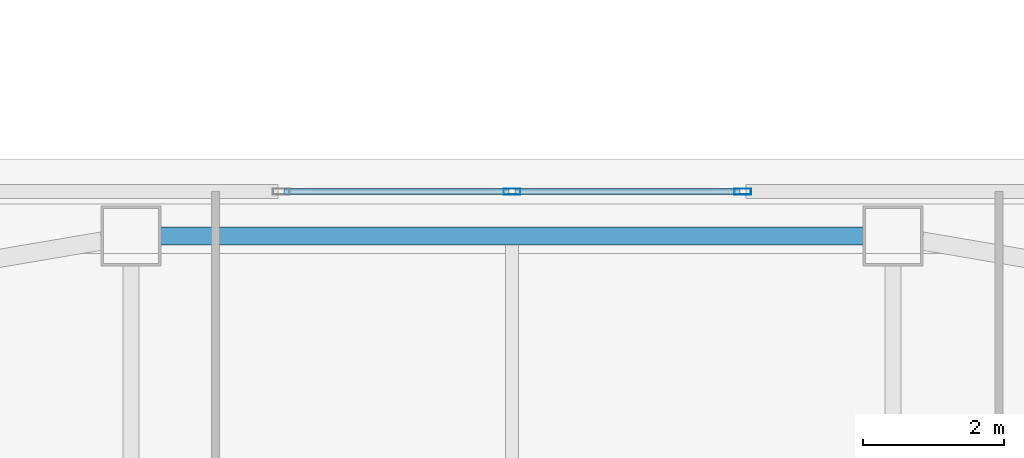
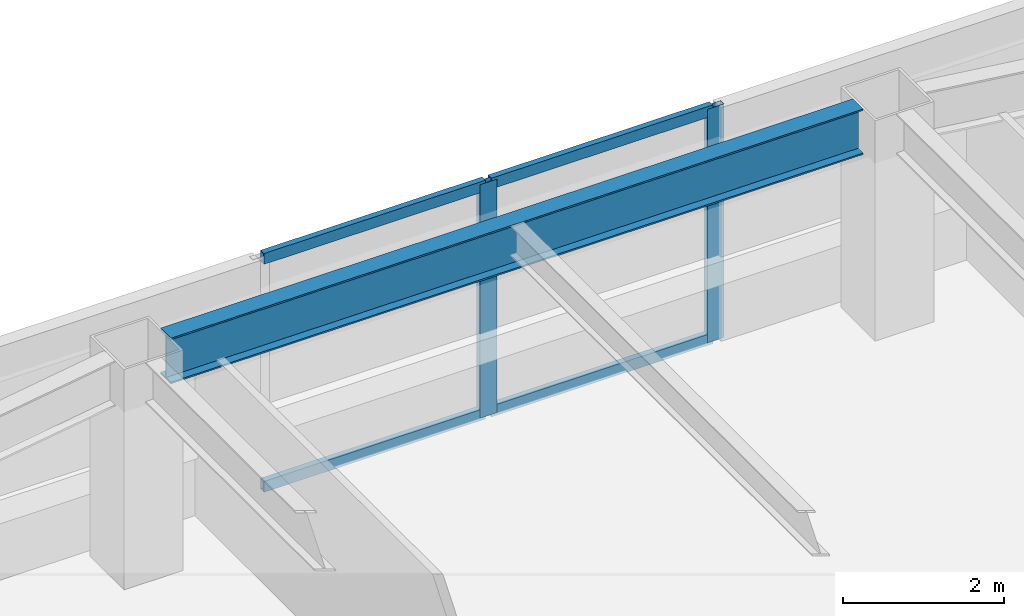
# One storey, part 14 of 46: 6 members, 1 beam, 1 element without a shape of its own.
"""IFC4 building model written with IfcOpenShell, lengths in metres."""

from ifc_helpers import new_model, si_unit, direction, frame, origin, origin_2d, place, context, subcontext, project, spatial, hollow_rectangle, i_section, extrude, material, material_profile, profile_set, type_object, element, aggregate, save


model = new_model("IFC4")

# Units and contexts
model_context = context("Model", 3, precision=1e-05, world=origin(), true_north=direction((0.0, 1.0)))
body_context = subcontext(model_context, "Body", "Model", "MODEL_VIEW")
ifc_project = project(units=[si_unit("LENGTHUNIT", "METRE"), si_unit("AREAUNIT", "SQUARE_METRE"), si_unit("VOLUMEUNIT", "CUBIC_METRE"), si_unit("PLANEANGLEUNIT", "RADIAN"), si_unit("MASSUNIT", "GRAM", prefix="KILO")], contexts=[model_context])

# Site, building, storey
site_placement = place(None, origin())
site = spatial("IfcSite", under=ifc_project, at=site_placement, CompositionType="ELEMENT")
building_placement = place(site_placement, origin())
building = spatial("IfcBuilding", under=site, at=building_placement, Name="Tashvorn Skyway Center", CompositionType="ELEMENT")
storey_placement = place(building_placement, frame((0.0, 0.0, 38.800048828125)))
storey = spatial("IfcBuildingStorey", under=building, at=storey_placement, Name="L09", CompositionType="ELEMENT", Elevation=38.800048828125)

# Beam
ifc_material_1 = material(Name="Steel ASTM A992 Grade 50", Category="steel")
ifc_material_profile_1 = material_profile(ifc_material_1, i_section(OverallWidth=0.256103515625, OverallDepth=0.693115234375, WebThickness=0.014404296875, FlangeThickness=0.023681640625, at=origin_2d()), Name="W27X114")
ifc_profile_set_1 = profile_set([ifc_material_profile_1], Name="Steel ASTM A992 Grade 50")
beam_type = type_object("IfcBeamType", Name="BM-SPANDREL-W27X114", PredefinedType="SPANDREL", material=ifc_profile_set_1)
beam_placement = place(storey_placement, frame((46.97998046875, 54.25, 3.00341796875), z_axis=(-1.0, 0.0, 0.0), x_axis=(0.0, -1.0, 0.0)))
element("IfcBeam", 1, at=beam_placement, inside=storey, type_object=beam_type, Name="Tower 1 L09 Spandrel Beam 08", PredefinedType="SPANDREL", context=body_context, shape_type="SweptSolid", body=[
    extrude(i_section(OverallWidth=0.256103515625, OverallDepth=0.693115234375, WebThickness=0.014404296875, FlangeThickness=0.023681640625, at=origin_2d()), origin(), (0.0, 0.0, 1.0), 9.9599609375),
])

# Curtain wall, members
ifc_material_2 = material(Name="Thermally broken bronze-anodized aluminium 6063-T6", Category="aluminium")
curtain_wall_type = type_object("IfcCurtainWallType", Name="CW-CW-Z1", PredefinedType="NOTDEFINED", material=ifc_material_2)
curtain_wall_placement = place(storey_placement, origin())
curtain_wall = element("IfcCurtainWall", 2, at=curtain_wall_placement, inside=storey, type_object=curtain_wall_type, Name="Tower 1 L09 North Unitised Curtain Wall Glazing Group 2", PredefinedType="NOTDEFINED")
ifc_material_profile_2 = material_profile(ifc_material_2, hollow_rectangle(XDim=0.0849609375, YDim=0.239990234375, WallThickness=0.0048828125, at=origin_2d()), Name="ALU-MULL-85x240")
ifc_profile_set_2 = profile_set([ifc_material_profile_2], Name="Thermally broken bronze-anodized aluminium 6063-T6")
member_type_1 = type_object("IfcMemberType", Name="CWM-CW-Z1", PredefinedType="MULLION", material=ifc_profile_set_2)
member_1_placement = place(storey_placement, frame((42.0, 54.8798828125, 0.0), z_axis=(0.0, 0.0, 1.0), x_axis=(0.0, 1.0, 0.0)))
member_1 = element("IfcMember", 3, at=member_1_placement, type_object=member_type_1, Name="CW-Z1 mullion 2", PredefinedType="MULLION", context=body_context, shape_type="SweptSolid", body=[
    extrude(hollow_rectangle(XDim=0.0849609375, YDim=0.239990234375, WallThickness=0.0048828125, at=origin_2d()), origin(), (0.0, 0.0, 1.0), 3.550048828125),
])
member_2_placement = place(storey_placement, frame((45.270751953125, 54.8798828125, 0.0), z_axis=(0.0, 0.0, 1.0), x_axis=(0.0, 1.0, 0.0)))
member_2 = element("IfcMember", 4, at=member_2_placement, type_object=member_type_1, Name="CW-Z1 mullion 3", PredefinedType="MULLION", context=body_context, shape_type="SweptSolid", body=[
    extrude(hollow_rectangle(XDim=0.0849609375, YDim=0.239990234375, WallThickness=0.0048828125, at=origin_2d()), origin(), (0.0, 0.0, 1.0), 3.550048828125),
])
ifc_material_profile_3 = material_profile(ifc_material_2, hollow_rectangle(XDim=0.0849609375, YDim=0.1650390625, WallThickness=0.0048828125, at=origin_2d()), Name="ALU-TRAN-85x165")
ifc_profile_set_3 = profile_set([ifc_material_profile_3], Name="Thermally broken bronze-anodized aluminium 6063-T6")
member_type_2 = type_object("IfcMemberType", Name="CWT-CW-Z1", PredefinedType="USERDEFINED", material=ifc_profile_set_3)
member_3_placement = place(storey_placement, frame((38.771728515625, 54.8798828125, 0.04248046875), z_axis=(1.0, 0.0, 0.0), x_axis=(0.0, 1.0, 0.0)))
member_3 = element("IfcMember", 5, at=member_3_placement, type_object=member_type_2, Name="CW-Z1 transom 1.1", ObjectType="TRANSOM", PredefinedType="USERDEFINED", context=body_context, shape_type="SweptSolid", body=[
    extrude(hollow_rectangle(XDim=0.0849609375, YDim=0.1650390625, WallThickness=0.0048828125, at=origin_2d()), origin(), (0.0, 0.0, 1.0), 3.185791015625),
])
member_4_placement = place(storey_placement, frame((38.771728515625, 54.8798828125, 3.507568359375), z_axis=(1.0, 0.0, 0.0), x_axis=(0.0, 1.0, 0.0)))
member_4 = element("IfcMember", 6, at=member_4_placement, type_object=member_type_2, Name="CW-Z1 transom 1.2", ObjectType="TRANSOM", PredefinedType="USERDEFINED", context=body_context, shape_type="SweptSolid", body=[
    extrude(hollow_rectangle(XDim=0.0849609375, YDim=0.1650390625, WallThickness=0.0048828125, at=origin_2d()), origin(), (0.0, 0.0, 1.0), 3.185791015625),
])
member_5_placement = place(storey_placement, frame((42.04248046875, 54.8798828125, 0.04248046875), z_axis=(1.0, 0.0, 0.0), x_axis=(0.0, 1.0, 0.0)))
member_5 = element("IfcMember", 7, at=member_5_placement, type_object=member_type_2, Name="CW-Z1 transom 2.1", ObjectType="TRANSOM", PredefinedType="USERDEFINED", context=body_context, shape_type="SweptSolid", body=[
    extrude(hollow_rectangle(XDim=0.0849609375, YDim=0.1650390625, WallThickness=0.0048828125, at=origin_2d()), origin(), (0.0, 0.0, 1.0), 3.185791015625),
])
member_6_placement = place(storey_placement, frame((42.04248046875, 54.8798828125, 3.507568359375), z_axis=(1.0, 0.0, 0.0), x_axis=(0.0, 1.0, 0.0)))
member_6 = element("IfcMember", 8, at=member_6_placement, type_object=member_type_2, Name="CW-Z1 transom 2.2", ObjectType="TRANSOM", PredefinedType="USERDEFINED", context=body_context, shape_type="SweptSolid", body=[
    extrude(hollow_rectangle(XDim=0.0849609375, YDim=0.1650390625, WallThickness=0.0048828125, at=origin_2d()), origin(), (0.0, 0.0, 1.0), 3.185791015625),
])
aggregate(curtain_wall, [member_1, member_2, member_3, member_4, member_5, member_6])

save(model, "model.ifc")
